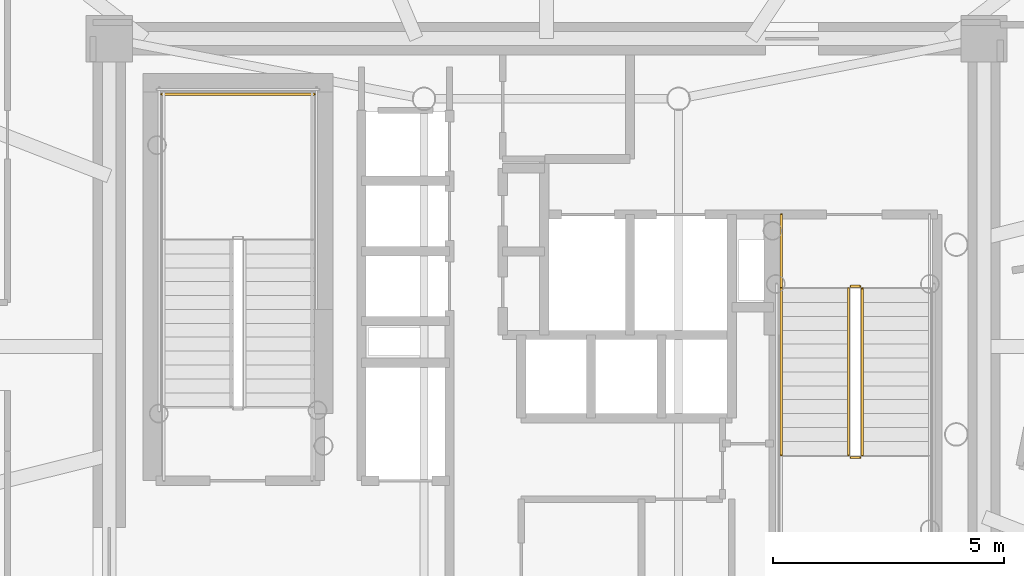
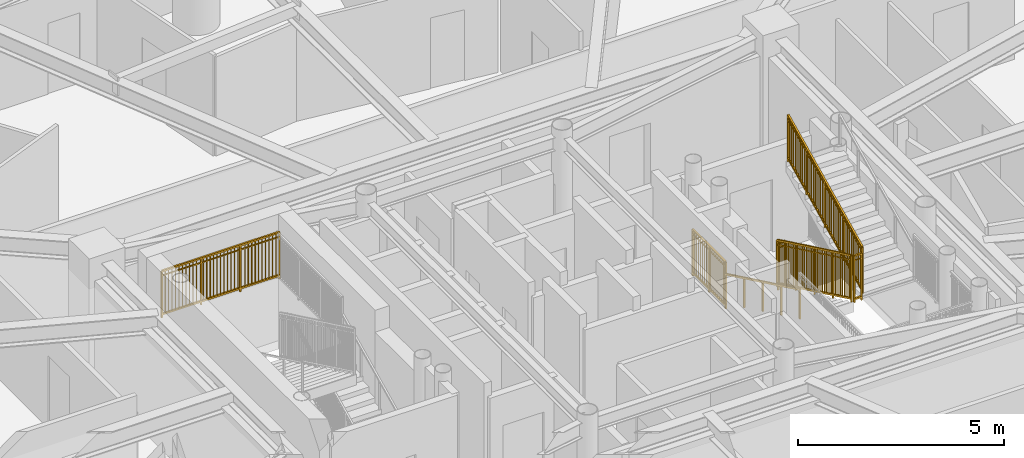
# One storey, part 19 of 21: 7 railings.
"""IFC4 building model written with IfcOpenShell, lengths in metres."""

from ifc_helpers import new_model, si_unit, direction, frame, origin, origin_2d, place, context, subcontext, project, spatial, rectangle, extrude, source, transform, mapped, material, type_object, element, save


model = new_model("IFC4")

# Units and contexts
model_context = context("Model", 3, precision=1e-05, world=origin(), true_north=direction((0.0, 1.0)))
body_context = subcontext(model_context, "Body", "Model", "MODEL_VIEW")
ifc_project = project(units=[si_unit("LENGTHUNIT", "METRE"), si_unit("AREAUNIT", "SQUARE_METRE"), si_unit("VOLUMEUNIT", "CUBIC_METRE"), si_unit("PLANEANGLEUNIT", "RADIAN"), si_unit("MASSUNIT", "GRAM", prefix="KILO")], contexts=[model_context])

# Site, building, storey
site_placement = place(None, origin())
site = spatial("IfcSite", under=ifc_project, at=site_placement, CompositionType="ELEMENT")
building_placement = place(site_placement, origin())
building = spatial("IfcBuilding", under=site, at=building_placement, Name="Linh Dai School and Residence Tower", CompositionType="ELEMENT")
storey_placement = place(building_placement, frame((0.0, 0.0, 251.550048828125)))
storey = spatial("IfcBuildingStorey", under=building, at=storey_placement, Name="L62", CompositionType="ELEMENT", Elevation=251.550048828125)

# Railings
ifc_material_1 = material(Name="Structural Steel S355JR", Category="steel")
railing_type_1 = type_object("IfcRailingType", Name="RL-ST-GUARD-1400", PredefinedType="GUARDRAIL", material=ifc_material_1)
shared_shape_1 = source(origin(), body_context, "Body", "SweptSolid", [
    extrude(rectangle(XDim=0.048095703125, YDim=0.048095703125, at=origin_2d()), frame((0.0, 0.0, 1.3759765625), z_axis=(-1.0, 0.0, 0.0), x_axis=(0.0, -1.0, 0.0)), (0.0, 0.0, 1.0), 3.300048828125),
    extrude(rectangle(XDim=0.048095703125, YDim=0.048095703125, at=origin_2d()), frame((0.0, 0.0, 0.10009765625), z_axis=(-1.0, 0.0, 0.0), x_axis=(0.0, -1.0, 0.0)), (0.0, 0.0, 1.0), 3.300048828125),
    extrude(rectangle(XDim=0.030029296875, YDim=0.030029296875, at=origin_2d()), frame((0.0, 0.0, 1.239990234375), z_axis=(-1.0, 0.0, 0.0), x_axis=(0.0, -1.0, 0.0)), (0.0, 0.0, 1.0), 3.300048828125),
    extrude(rectangle(XDim=0.02001953125, YDim=0.02001953125, at=origin_2d()), frame((-0.09716796875, 0.0, 0.10009765625)), (0.0, 0.0, 1.0), 1.251708984375),
    extrude(rectangle(XDim=0.02001953125, YDim=0.02001953125, at=origin_2d()), frame((-0.194091796875, 0.0, 0.10009765625)), (0.0, 0.0, 1.0), 1.251708984375),
    extrude(rectangle(XDim=0.02001953125, YDim=0.02001953125, at=origin_2d()), frame((-0.291259765625, 0.0, 0.10009765625)), (0.0, 0.0, 1.0), 1.251708984375),
    extrude(rectangle(XDim=0.02001953125, YDim=0.02001953125, at=origin_2d()), frame((-0.38818359375, 0.0, 0.10009765625)), (0.0, 0.0, 1.0), 1.251708984375),
    extrude(rectangle(XDim=0.02001953125, YDim=0.02001953125, at=origin_2d()), frame((-0.4853515625, 0.0, 0.10009765625)), (0.0, 0.0, 1.0), 1.251708984375),
    extrude(rectangle(XDim=0.02001953125, YDim=0.02001953125, at=origin_2d()), frame((-0.582275390625, 0.0, 0.10009765625)), (0.0, 0.0, 1.0), 1.251708984375),
    extrude(rectangle(XDim=0.02001953125, YDim=0.02001953125, at=origin_2d()), frame((-0.679443359375, 0.0, 0.10009765625)), (0.0, 0.0, 1.0), 1.251708984375),
    extrude(rectangle(XDim=0.02001953125, YDim=0.02001953125, at=origin_2d()), frame((-0.7763671875, 0.0, 0.10009765625)), (0.0, 0.0, 1.0), 1.251708984375),
    extrude(rectangle(XDim=0.02001953125, YDim=0.02001953125, at=origin_2d()), frame((-0.87353515625, 0.0, 0.10009765625)), (0.0, 0.0, 1.0), 1.251708984375),
    extrude(rectangle(XDim=0.02001953125, YDim=0.02001953125, at=origin_2d()), frame((-0.970703125, 0.0, 0.10009765625)), (0.0, 0.0, 1.0), 1.251708984375),
    extrude(rectangle(XDim=0.02001953125, YDim=0.02001953125, at=origin_2d()), frame((-1.164794921875, 0.0, 0.10009765625)), (0.0, 0.0, 1.0), 1.251708984375),
    extrude(rectangle(XDim=0.02001953125, YDim=0.02001953125, at=origin_2d()), frame((-1.26171875, 0.0, 0.10009765625)), (0.0, 0.0, 1.0), 1.251708984375),
    extrude(rectangle(XDim=0.02001953125, YDim=0.02001953125, at=origin_2d()), frame((-1.35888671875, 0.0, 0.10009765625)), (0.0, 0.0, 1.0), 1.251708984375),
    extrude(rectangle(XDim=0.02001953125, YDim=0.02001953125, at=origin_2d()), frame((-1.455810546875, 0.0, 0.10009765625)), (0.0, 0.0, 1.0), 1.251708984375),
    extrude(rectangle(XDim=0.02001953125, YDim=0.02001953125, at=origin_2d()), frame((-1.552978515625, 0.0, 0.10009765625)), (0.0, 0.0, 1.0), 1.251708984375),
    extrude(rectangle(XDim=0.02001953125, YDim=0.02001953125, at=origin_2d()), frame((-1.64990234375, 0.0, 0.10009765625)), (0.0, 0.0, 1.0), 1.251708984375),
    extrude(rectangle(XDim=0.02001953125, YDim=0.02001953125, at=origin_2d()), frame((-1.7470703125, 0.0, 0.10009765625)), (0.0, 0.0, 1.0), 1.251708984375),
    extrude(rectangle(XDim=0.02001953125, YDim=0.02001953125, at=origin_2d()), frame((-1.84423828125, 0.0, 0.10009765625)), (0.0, 0.0, 1.0), 1.251708984375),
    extrude(rectangle(XDim=0.02001953125, YDim=0.02001953125, at=origin_2d()), frame((-1.941162109375, 0.0, 0.10009765625)), (0.0, 0.0, 1.0), 1.251708984375),
    extrude(rectangle(XDim=0.02001953125, YDim=0.02001953125, at=origin_2d()), frame((-2.038330078125, 0.0, 0.10009765625)), (0.0, 0.0, 1.0), 1.251708984375),
    extrude(rectangle(XDim=0.02001953125, YDim=0.02001953125, at=origin_2d()), frame((-2.13525390625, 0.0, 0.10009765625)), (0.0, 0.0, 1.0), 1.251708984375),
    extrude(rectangle(XDim=0.02001953125, YDim=0.02001953125, at=origin_2d()), frame((-2.329345703125, 0.0, 0.10009765625)), (0.0, 0.0, 1.0), 1.251708984375),
    extrude(rectangle(XDim=0.02001953125, YDim=0.02001953125, at=origin_2d()), frame((-2.426513671875, 0.0, 0.10009765625)), (0.0, 0.0, 1.0), 1.251708984375),
    extrude(rectangle(XDim=0.02001953125, YDim=0.02001953125, at=origin_2d()), frame((-2.523681640625, 0.0, 0.10009765625)), (0.0, 0.0, 1.0), 1.251708984375),
    extrude(rectangle(XDim=0.02001953125, YDim=0.02001953125, at=origin_2d()), frame((-2.62060546875, 0.0, 0.10009765625)), (0.0, 0.0, 1.0), 1.251708984375),
    extrude(rectangle(XDim=0.02001953125, YDim=0.02001953125, at=origin_2d()), frame((-2.7177734375, 0.0, 0.10009765625)), (0.0, 0.0, 1.0), 1.251708984375),
    extrude(rectangle(XDim=0.02001953125, YDim=0.02001953125, at=origin_2d()), frame((-2.814697265625, 0.0, 0.10009765625)), (0.0, 0.0, 1.0), 1.251708984375),
    extrude(rectangle(XDim=0.02001953125, YDim=0.02001953125, at=origin_2d()), frame((-2.911865234375, 0.0, 0.10009765625)), (0.0, 0.0, 1.0), 1.251708984375),
    extrude(rectangle(XDim=0.02001953125, YDim=0.02001953125, at=origin_2d()), frame((-3.0087890625, 0.0, 0.10009765625)), (0.0, 0.0, 1.0), 1.251708984375),
    extrude(rectangle(XDim=0.02001953125, YDim=0.02001953125, at=origin_2d()), frame((-3.10595703125, 0.0, 0.10009765625)), (0.0, 0.0, 1.0), 1.251708984375),
    extrude(rectangle(XDim=0.02001953125, YDim=0.02001953125, at=origin_2d()), frame((-3.202880859375, 0.0, 0.10009765625)), (0.0, 0.0, 1.0), 1.251708984375),
    extrude(rectangle(XDim=0.0419921875, YDim=0.0419921875, at=origin_2d()), origin(), (0.0, 0.0, 1.0), 1.3759765625),
    extrude(rectangle(XDim=0.0419921875, YDim=0.0419921875, at=origin_2d()), frame((-1.10009765625, 0.0, 0.0)), (0.0, 0.0, 1.0), 1.3759765625),
    extrude(rectangle(XDim=0.0419921875, YDim=0.0419921875, at=origin_2d()), frame((-2.199951171875, 0.0, 0.0)), (0.0, 0.0, 1.0), 1.3759765625),
    extrude(rectangle(XDim=0.0419921875, YDim=0.0419921875, at=origin_2d()), frame((-3.300048828125, 0.0, 0.0)), (0.0, 0.0, 1.0), 1.3759765625),
])
railing_1_placement = place(storey_placement, frame((30.97998046875, 32.449951171875, 1.875)))
element("IfcRailing", 1, at=railing_1_placement, inside=storey, type_object=railing_type_1, Name="L62 ST1 stair guard 5", PredefinedType="GUARDRAIL", context=body_context, shape_type="MappedRepresentation", body=[
    mapped(shared_shape_1, transform((0.0, 0.0, 0.0), x_axis=(1.0, 0.0, 0.0), y_axis=(0.0, 1.0, 0.0), z_axis=(0.0, 0.0, 1.0), scale=1.0)),
])
shared_shape_2 = source(origin(), body_context, "Body", "SweptSolid", [
    extrude(rectangle(XDim=0.048095703125, YDim=0.048095703125, at=origin_2d()), frame((0.0, 0.0, 1.3759765625), z_axis=(0.0, 0.901262522062, 0.433273431364), x_axis=(-1.0, 0.0, 0.0)), (0.0, 0.0, 1.0), 3.994384765625),
    extrude(rectangle(XDim=0.048095703125, YDim=0.048095703125, at=origin_2d()), frame((0.0, 0.0, 0.10009765625), z_axis=(0.0, 0.901262522062, 0.433273431364), x_axis=(-1.0, 0.0, 0.0)), (0.0, 0.0, 1.0), 3.994384765625),
    extrude(rectangle(XDim=0.030029296875, YDim=0.030029296875, at=origin_2d()), frame((0.0, 0.0, 1.239990234375), z_axis=(0.0, 0.901262522062, 0.433273431364), x_axis=(-1.0, 0.0, 0.0)), (0.0, 0.0, 1.0), 3.994384765625),
    extrude(rectangle(XDim=0.02001953125, YDim=0.02001953125, at=origin_2d()), frame((0.0, 0.087890625, 0.142333984375)), (0.0, 0.0, 1.0), 1.251708984375),
    extrude(rectangle(XDim=0.02001953125, YDim=0.02001953125, at=origin_2d()), frame((0.0, 0.175537109375, 0.1845703125)), (0.0, 0.0, 1.0), 1.251708984375),
    extrude(rectangle(XDim=0.02001953125, YDim=0.02001953125, at=origin_2d()), frame((0.0, 0.263427734375, 0.226806640625)), (0.0, 0.0, 1.0), 1.251708984375),
    extrude(rectangle(XDim=0.02001953125, YDim=0.02001953125, at=origin_2d()), frame((0.0, 0.351318359375, 0.26904296875)), (0.0, 0.0, 1.0), 1.251708984375),
    extrude(rectangle(XDim=0.02001953125, YDim=0.02001953125, at=origin_2d()), frame((0.0, 0.43896484375, 0.311279296875)), (0.0, 0.0, 1.0), 1.251708984375),
    extrude(rectangle(XDim=0.02001953125, YDim=0.02001953125, at=origin_2d()), frame((0.0, 0.52685546875, 0.353271484375)), (0.0, 0.0, 1.0), 1.251708984375),
    extrude(rectangle(XDim=0.02001953125, YDim=0.02001953125, at=origin_2d()), frame((0.0, 0.61474609375, 0.3955078125)), (0.0, 0.0, 1.0), 1.251708984375),
    extrude(rectangle(XDim=0.02001953125, YDim=0.02001953125, at=origin_2d()), frame((0.0, 0.702392578125, 0.437744140625)), (0.0, 0.0, 1.0), 1.251708984375),
    extrude(rectangle(XDim=0.02001953125, YDim=0.02001953125, at=origin_2d()), frame((0.0, 0.790283203125, 0.47998046875)), (0.0, 0.0, 1.0), 1.251708984375),
    extrude(rectangle(XDim=0.02001953125, YDim=0.02001953125, at=origin_2d()), frame((0.0, 0.9658203125, 0.564453125)), (0.0, 0.0, 1.0), 1.251708984375),
    extrude(rectangle(XDim=0.02001953125, YDim=0.02001953125, at=origin_2d()), frame((0.0, 1.0537109375, 0.606689453125)), (0.0, 0.0, 1.0), 1.251708984375),
    extrude(rectangle(XDim=0.02001953125, YDim=0.02001953125, at=origin_2d()), frame((0.0, 1.1416015625, 0.64892578125)), (0.0, 0.0, 1.0), 1.251708984375),
    extrude(rectangle(XDim=0.02001953125, YDim=0.02001953125, at=origin_2d()), frame((0.0, 1.229248046875, 0.691162109375)), (0.0, 0.0, 1.0), 1.251708984375),
    extrude(rectangle(XDim=0.02001953125, YDim=0.02001953125, at=origin_2d()), frame((0.0, 1.317138671875, 0.7333984375)), (0.0, 0.0, 1.0), 1.251708984375),
    extrude(rectangle(XDim=0.02001953125, YDim=0.02001953125, at=origin_2d()), frame((0.0, 1.405029296875, 0.775390625)), (0.0, 0.0, 1.0), 1.251708984375),
    extrude(rectangle(XDim=0.02001953125, YDim=0.02001953125, at=origin_2d()), frame((0.0, 1.49267578125, 0.817626953125)), (0.0, 0.0, 1.0), 1.251708984375),
    extrude(rectangle(XDim=0.02001953125, YDim=0.02001953125, at=origin_2d()), frame((0.0, 1.58056640625, 0.85986328125)), (0.0, 0.0, 1.0), 1.251708984375),
    extrude(rectangle(XDim=0.02001953125, YDim=0.02001953125, at=origin_2d()), frame((0.0, 1.66845703125, 0.902099609375)), (0.0, 0.0, 1.0), 1.251708984375),
    extrude(rectangle(XDim=0.02001953125, YDim=0.02001953125, at=origin_2d()), frame((0.0, 1.756103515625, 0.9443359375)), (0.0, 0.0, 1.0), 1.251708984375),
    extrude(rectangle(XDim=0.02001953125, YDim=0.02001953125, at=origin_2d()), frame((0.0, 1.843994140625, 0.986572265625)), (0.0, 0.0, 1.0), 1.251708984375),
    extrude(rectangle(XDim=0.02001953125, YDim=0.02001953125, at=origin_2d()), frame((0.0, 1.931640625, 1.02880859375)), (0.0, 0.0, 1.0), 1.251708984375),
    extrude(rectangle(XDim=0.02001953125, YDim=0.02001953125, at=origin_2d()), frame((0.0, 2.01953125, 1.071044921875)), (0.0, 0.0, 1.0), 1.251708984375),
    extrude(rectangle(XDim=0.02001953125, YDim=0.02001953125, at=origin_2d()), frame((0.0, 2.107421875, 1.11328125)), (0.0, 0.0, 1.0), 1.251708984375),
    extrude(rectangle(XDim=0.02001953125, YDim=0.02001953125, at=origin_2d()), frame((0.0, 2.195068359375, 1.155517578125)), (0.0, 0.0, 1.0), 1.251708984375),
    extrude(rectangle(XDim=0.02001953125, YDim=0.02001953125, at=origin_2d()), frame((0.0, 2.282958984375, 1.197509765625)), (0.0, 0.0, 1.0), 1.251708984375),
    extrude(rectangle(XDim=0.02001953125, YDim=0.02001953125, at=origin_2d()), frame((0.0, 2.370849609375, 1.23974609375)), (0.0, 0.0, 1.0), 1.251708984375),
    extrude(rectangle(XDim=0.02001953125, YDim=0.02001953125, at=origin_2d()), frame((0.0, 2.45849609375, 1.281982421875)), (0.0, 0.0, 1.0), 1.251708984375),
    extrude(rectangle(XDim=0.02001953125, YDim=0.02001953125, at=origin_2d()), frame((0.0, 2.54638671875, 1.32421875)), (0.0, 0.0, 1.0), 1.251708984375),
    extrude(rectangle(XDim=0.02001953125, YDim=0.02001953125, at=origin_2d()), frame((0.0, 2.63427734375, 1.366455078125)), (0.0, 0.0, 1.0), 1.251708984375),
    extrude(rectangle(XDim=0.02001953125, YDim=0.02001953125, at=origin_2d()), frame((0.0, 2.809814453125, 1.450927734375)), (0.0, 0.0, 1.0), 1.251708984375),
    extrude(rectangle(XDim=0.02001953125, YDim=0.02001953125, at=origin_2d()), frame((0.0, 2.897705078125, 1.4931640625)), (0.0, 0.0, 1.0), 1.251708984375),
    extrude(rectangle(XDim=0.02001953125, YDim=0.02001953125, at=origin_2d()), frame((0.0, 2.9853515625, 1.535400390625)), (0.0, 0.0, 1.0), 1.251708984375),
    extrude(rectangle(XDim=0.02001953125, YDim=0.02001953125, at=origin_2d()), frame((0.0, 3.0732421875, 1.57763671875)), (0.0, 0.0, 1.0), 1.251708984375),
    extrude(rectangle(XDim=0.02001953125, YDim=0.02001953125, at=origin_2d()), frame((0.0, 3.1611328125, 1.61962890625)), (0.0, 0.0, 1.0), 1.251708984375),
    extrude(rectangle(XDim=0.02001953125, YDim=0.02001953125, at=origin_2d()), frame((0.0, 3.248779296875, 1.661865234375)), (0.0, 0.0, 1.0), 1.251708984375),
    extrude(rectangle(XDim=0.02001953125, YDim=0.02001953125, at=origin_2d()), frame((0.0, 3.336669921875, 1.7041015625)), (0.0, 0.0, 1.0), 1.251708984375),
    extrude(rectangle(XDim=0.02001953125, YDim=0.02001953125, at=origin_2d()), frame((0.0, 3.424560546875, 1.746337890625)), (0.0, 0.0, 1.0), 1.251708984375),
    extrude(rectangle(XDim=0.02001953125, YDim=0.02001953125, at=origin_2d()), frame((0.0, 3.51220703125, 1.78857421875)), (0.0, 0.0, 1.0), 1.251708984375),
    extrude(rectangle(XDim=0.0419921875, YDim=0.0419921875, at=origin_2d()), origin(), (0.0, 0.0, 1.0), 1.3759765625),
    extrude(rectangle(XDim=0.0419921875, YDim=0.0419921875, at=origin_2d()), frame((0.0, 0.89990234375, 0.4326171875)), (0.0, 0.0, 1.0), 1.3759765625),
    extrude(rectangle(XDim=0.0419921875, YDim=0.0419921875, at=origin_2d()), frame((0.0, 1.800048828125, 0.865234375)), (0.0, 0.0, 1.0), 1.3759765625),
    extrude(rectangle(XDim=0.0419921875, YDim=0.0419921875, at=origin_2d()), frame((0.0, 2.7001953125, 1.298095703125)), (0.0, 0.0, 1.0), 1.3759765625),
    extrude(rectangle(XDim=0.0419921875, YDim=0.0419921875, at=origin_2d()), frame((0.0, 3.60009765625, 1.730712890625)), (0.0, 0.0, 1.0), 1.3759765625),
])
railing_2_placement = place(storey_placement, frame((42.820068359375, 24.64990234375, 2.019287109375)))
element("IfcRailing", 2, at=railing_2_placement, inside=storey, type_object=railing_type_1, Name="L62 ST2 stair guard 6", PredefinedType="GUARDRAIL", context=body_context, shape_type="MappedRepresentation", body=[
    mapped(shared_shape_2, transform((0.0, 0.0, 0.0), x_axis=(1.0, 0.0, 0.0), y_axis=(0.0, 1.0, 0.0), z_axis=(0.0, 0.0, 1.0), scale=1.0)),
])
shared_shape_3 = source(origin(), body_context, "Body", "SweptSolid", [
    extrude(rectangle(XDim=0.048095703125, YDim=0.048095703125, at=origin_2d()), frame((0.0, 0.0, 1.3759765625), z_axis=(0.0, -0.901262522062, 0.433273431364), x_axis=(1.0, 0.0, 0.0)), (0.0, 0.0, 1.0), 3.994384765625),
    extrude(rectangle(XDim=0.048095703125, YDim=0.048095703125, at=origin_2d()), frame((0.0, 0.0, 0.10009765625), z_axis=(0.0, -0.901262522062, 0.433273431364), x_axis=(1.0, 0.0, 0.0)), (0.0, 0.0, 1.0), 3.994384765625),
    extrude(rectangle(XDim=0.030029296875, YDim=0.030029296875, at=origin_2d()), frame((0.0, 0.0, 1.239990234375), z_axis=(0.0, -0.901262522062, 0.433273431364), x_axis=(1.0, 0.0, 0.0)), (0.0, 0.0, 1.0), 3.994384765625),
    extrude(rectangle(XDim=0.02001953125, YDim=0.02001953125, at=origin_2d()), frame((0.0, -0.087890625, 0.142333984375)), (0.0, 0.0, 1.0), 1.251708984375),
    extrude(rectangle(XDim=0.02001953125, YDim=0.02001953125, at=origin_2d()), frame((0.0, -0.175537109375, 0.1845703125)), (0.0, 0.0, 1.0), 1.251708984375),
    extrude(rectangle(XDim=0.02001953125, YDim=0.02001953125, at=origin_2d()), frame((0.0, -0.263427734375, 0.226806640625)), (0.0, 0.0, 1.0), 1.251708984375),
    extrude(rectangle(XDim=0.02001953125, YDim=0.02001953125, at=origin_2d()), frame((0.0, -0.351318359375, 0.26904296875)), (0.0, 0.0, 1.0), 1.251708984375),
    extrude(rectangle(XDim=0.02001953125, YDim=0.02001953125, at=origin_2d()), frame((0.0, -0.43896484375, 0.311279296875)), (0.0, 0.0, 1.0), 1.251708984375),
    extrude(rectangle(XDim=0.02001953125, YDim=0.02001953125, at=origin_2d()), frame((0.0, -0.52685546875, 0.353271484375)), (0.0, 0.0, 1.0), 1.251708984375),
    extrude(rectangle(XDim=0.02001953125, YDim=0.02001953125, at=origin_2d()), frame((0.0, -0.61474609375, 0.3955078125)), (0.0, 0.0, 1.0), 1.251708984375),
    extrude(rectangle(XDim=0.02001953125, YDim=0.02001953125, at=origin_2d()), frame((0.0, -0.702392578125, 0.437744140625)), (0.0, 0.0, 1.0), 1.251708984375),
    extrude(rectangle(XDim=0.02001953125, YDim=0.02001953125, at=origin_2d()), frame((0.0, -0.790283203125, 0.47998046875)), (0.0, 0.0, 1.0), 1.251708984375),
    extrude(rectangle(XDim=0.02001953125, YDim=0.02001953125, at=origin_2d()), frame((0.0, -0.9658203125, 0.564453125)), (0.0, 0.0, 1.0), 1.251708984375),
    extrude(rectangle(XDim=0.02001953125, YDim=0.02001953125, at=origin_2d()), frame((0.0, -1.0537109375, 0.606689453125)), (0.0, 0.0, 1.0), 1.251708984375),
    extrude(rectangle(XDim=0.02001953125, YDim=0.02001953125, at=origin_2d()), frame((0.0, -1.1416015625, 0.64892578125)), (0.0, 0.0, 1.0), 1.251708984375),
    extrude(rectangle(XDim=0.02001953125, YDim=0.02001953125, at=origin_2d()), frame((0.0, -1.229248046875, 0.691162109375)), (0.0, 0.0, 1.0), 1.251708984375),
    extrude(rectangle(XDim=0.02001953125, YDim=0.02001953125, at=origin_2d()), frame((0.0, -1.317138671875, 0.7333984375)), (0.0, 0.0, 1.0), 1.251708984375),
    extrude(rectangle(XDim=0.02001953125, YDim=0.02001953125, at=origin_2d()), frame((0.0, -1.405029296875, 0.775390625)), (0.0, 0.0, 1.0), 1.251708984375),
    extrude(rectangle(XDim=0.02001953125, YDim=0.02001953125, at=origin_2d()), frame((0.0, -1.49267578125, 0.817626953125)), (0.0, 0.0, 1.0), 1.251708984375),
    extrude(rectangle(XDim=0.02001953125, YDim=0.02001953125, at=origin_2d()), frame((0.0, -1.58056640625, 0.85986328125)), (0.0, 0.0, 1.0), 1.251708984375),
    extrude(rectangle(XDim=0.02001953125, YDim=0.02001953125, at=origin_2d()), frame((0.0, -1.66845703125, 0.902099609375)), (0.0, 0.0, 1.0), 1.251708984375),
    extrude(rectangle(XDim=0.02001953125, YDim=0.02001953125, at=origin_2d()), frame((0.0, -1.756103515625, 0.9443359375)), (0.0, 0.0, 1.0), 1.251708984375),
    extrude(rectangle(XDim=0.02001953125, YDim=0.02001953125, at=origin_2d()), frame((0.0, -1.843994140625, 0.986572265625)), (0.0, 0.0, 1.0), 1.251708984375),
    extrude(rectangle(XDim=0.02001953125, YDim=0.02001953125, at=origin_2d()), frame((0.0, -1.931640625, 1.02880859375)), (0.0, 0.0, 1.0), 1.251708984375),
    extrude(rectangle(XDim=0.02001953125, YDim=0.02001953125, at=origin_2d()), frame((0.0, -2.01953125, 1.071044921875)), (0.0, 0.0, 1.0), 1.251708984375),
    extrude(rectangle(XDim=0.02001953125, YDim=0.02001953125, at=origin_2d()), frame((0.0, -2.107421875, 1.11328125)), (0.0, 0.0, 1.0), 1.251708984375),
    extrude(rectangle(XDim=0.02001953125, YDim=0.02001953125, at=origin_2d()), frame((0.0, -2.195068359375, 1.155517578125)), (0.0, 0.0, 1.0), 1.251708984375),
    extrude(rectangle(XDim=0.02001953125, YDim=0.02001953125, at=origin_2d()), frame((0.0, -2.282958984375, 1.197509765625)), (0.0, 0.0, 1.0), 1.251708984375),
    extrude(rectangle(XDim=0.02001953125, YDim=0.02001953125, at=origin_2d()), frame((0.0, -2.370849609375, 1.23974609375)), (0.0, 0.0, 1.0), 1.251708984375),
    extrude(rectangle(XDim=0.02001953125, YDim=0.02001953125, at=origin_2d()), frame((0.0, -2.45849609375, 1.281982421875)), (0.0, 0.0, 1.0), 1.251708984375),
    extrude(rectangle(XDim=0.02001953125, YDim=0.02001953125, at=origin_2d()), frame((0.0, -2.54638671875, 1.32421875)), (0.0, 0.0, 1.0), 1.251708984375),
    extrude(rectangle(XDim=0.02001953125, YDim=0.02001953125, at=origin_2d()), frame((0.0, -2.63427734375, 1.366455078125)), (0.0, 0.0, 1.0), 1.251708984375),
    extrude(rectangle(XDim=0.02001953125, YDim=0.02001953125, at=origin_2d()), frame((0.0, -2.809814453125, 1.450927734375)), (0.0, 0.0, 1.0), 1.251708984375),
    extrude(rectangle(XDim=0.02001953125, YDim=0.02001953125, at=origin_2d()), frame((0.0, -2.897705078125, 1.4931640625)), (0.0, 0.0, 1.0), 1.251708984375),
    extrude(rectangle(XDim=0.02001953125, YDim=0.02001953125, at=origin_2d()), frame((0.0, -2.9853515625, 1.535400390625)), (0.0, 0.0, 1.0), 1.251708984375),
    extrude(rectangle(XDim=0.02001953125, YDim=0.02001953125, at=origin_2d()), frame((0.0, -3.0732421875, 1.57763671875)), (0.0, 0.0, 1.0), 1.251708984375),
    extrude(rectangle(XDim=0.02001953125, YDim=0.02001953125, at=origin_2d()), frame((0.0, -3.1611328125, 1.61962890625)), (0.0, 0.0, 1.0), 1.251708984375),
    extrude(rectangle(XDim=0.02001953125, YDim=0.02001953125, at=origin_2d()), frame((0.0, -3.248779296875, 1.661865234375)), (0.0, 0.0, 1.0), 1.251708984375),
    extrude(rectangle(XDim=0.02001953125, YDim=0.02001953125, at=origin_2d()), frame((0.0, -3.336669921875, 1.7041015625)), (0.0, 0.0, 1.0), 1.251708984375),
    extrude(rectangle(XDim=0.02001953125, YDim=0.02001953125, at=origin_2d()), frame((0.0, -3.424560546875, 1.746337890625)), (0.0, 0.0, 1.0), 1.251708984375),
    extrude(rectangle(XDim=0.02001953125, YDim=0.02001953125, at=origin_2d()), frame((0.0, -3.51220703125, 1.78857421875)), (0.0, 0.0, 1.0), 1.251708984375),
    extrude(rectangle(XDim=0.0419921875, YDim=0.0419921875, at=origin_2d()), origin(), (0.0, 0.0, 1.0), 1.3759765625),
    extrude(rectangle(XDim=0.0419921875, YDim=0.0419921875, at=origin_2d()), frame((0.0, -0.89990234375, 0.4326171875)), (0.0, 0.0, 1.0), 1.3759765625),
    extrude(rectangle(XDim=0.0419921875, YDim=0.0419921875, at=origin_2d()), frame((0.0, -1.800048828125, 0.865234375)), (0.0, 0.0, 1.0), 1.3759765625),
    extrude(rectangle(XDim=0.0419921875, YDim=0.0419921875, at=origin_2d()), frame((0.0, -2.7001953125, 1.298095703125)), (0.0, 0.0, 1.0), 1.3759765625),
    extrude(rectangle(XDim=0.0419921875, YDim=0.0419921875, at=origin_2d()), frame((0.0, -3.60009765625, 1.730712890625)), (0.0, 0.0, 1.0), 1.3759765625),
])
railing_3_placement = place(storey_placement, frame((42.52001953125, 28.25, 0.144287109375)))
element("IfcRailing", 3, at=railing_3_placement, inside=storey, type_object=railing_type_1, Name="L62 ST2 stair guard 1", PredefinedType="GUARDRAIL", context=body_context, shape_type="MappedRepresentation", body=[
    mapped(shared_shape_3, transform((0.0, 0.0, 0.0), x_axis=(1.0, 0.0, 0.0), y_axis=(0.0, 1.0, 0.0), z_axis=(0.0, 0.0, 1.0), scale=1.0)),
])
ifc_material_2 = material(Name="Brushed Stainless Steel Handrail", Category="steel")
railing_type_2 = type_object("IfcRailingType", Name="RL-ST-HANDRAIL-900", PredefinedType="HANDRAIL", material=ifc_material_2)
shared_shape_4 = source(origin(), body_context, "Body", "SweptSolid", [
    extrude(rectangle(XDim=0.048095703125, YDim=0.048095703125, at=origin_2d()), frame((0.0, 0.0, 0.8759765625), z_axis=(0.0, -0.901262522062, 0.433273431364), x_axis=(1.0, 0.0, 0.0)), (0.0, 0.0, 1.0), 3.994384765625),
    extrude(rectangle(XDim=0.0419921875, YDim=0.0419921875, at=origin_2d()), origin(), (0.0, 0.0, 1.0), 0.8759765625),
    extrude(rectangle(XDim=0.0419921875, YDim=0.0419921875, at=origin_2d()), frame((0.0, -0.89990234375, 0.4326171875)), (0.0, 0.0, 1.0), 0.8759765625),
    extrude(rectangle(XDim=0.0419921875, YDim=0.0419921875, at=origin_2d()), frame((0.0, -1.800048828125, 0.865234375)), (0.0, 0.0, 1.0), 0.8759765625),
    extrude(rectangle(XDim=0.0419921875, YDim=0.0419921875, at=origin_2d()), frame((0.0, -2.7001953125, 1.298095703125)), (0.0, 0.0, 1.0), 0.8759765625),
    extrude(rectangle(XDim=0.0419921875, YDim=0.0419921875, at=origin_2d()), frame((0.0, -3.60009765625, 1.730712890625)), (0.0, 0.0, 1.0), 0.8759765625),
])
railing_4_placement = place(storey_placement, frame((41.070068359375, 28.25, 0.144287109375)))
element("IfcRailing", 4, at=railing_4_placement, inside=storey, type_object=railing_type_2, Name="L62 ST2 stair handrail 1", PredefinedType="HANDRAIL", context=body_context, shape_type="MappedRepresentation", body=[
    mapped(shared_shape_4, transform((0.0, 0.0, 0.0), x_axis=(1.0, 0.0, 0.0), y_axis=(0.0, 1.0, 0.0), z_axis=(0.0, 0.0, 1.0), scale=1.0)),
])
shared_shape_5 = source(origin(), body_context, "Body", "SweptSolid", [
    extrude(rectangle(XDim=0.048095703125, YDim=0.048095703125, at=origin_2d()), frame((0.0, 0.0, 1.3759765625), z_axis=(1.0, 0.0, 0.0), x_axis=(0.0, 1.0, 0.0)), (0.0, 0.0, 1.0), 0.199951171875),
    extrude(rectangle(XDim=0.048095703125, YDim=0.048095703125, at=origin_2d()), frame((0.0, 0.0, 0.10009765625), z_axis=(1.0, 0.0, 0.0), x_axis=(0.0, 1.0, 0.0)), (0.0, 0.0, 1.0), 0.199951171875),
    extrude(rectangle(XDim=0.030029296875, YDim=0.030029296875, at=origin_2d()), frame((0.0, 0.0, 1.239990234375), z_axis=(1.0, 0.0, 0.0), x_axis=(0.0, 1.0, 0.0)), (0.0, 0.0, 1.0), 0.199951171875),
    extrude(rectangle(XDim=0.0419921875, YDim=0.0419921875, at=origin_2d()), origin(), (0.0, 0.0, 1.0), 1.3759765625),
    extrude(rectangle(XDim=0.0419921875, YDim=0.0419921875, at=origin_2d()), frame((0.199951171875, 0.0, 0.0)), (0.0, 0.0, 1.0), 1.3759765625),
])
for number, where, name in (
    (5, (42.570068359375, 24.60009765625, 1.875), "L62 ST2 stair guard 2"),
    (6, (42.570068359375, 28.300048828125, 0.0), "L62 ST2 stair guard 7"),
):
    element("IfcRailing", number, at=place(storey_placement, frame(where)), inside=storey, type_object=railing_type_1, Name=name, PredefinedType="GUARDRAIL", context=body_context, shape_type="MappedRepresentation", body=[
        mapped(shared_shape_5, transform((0.0, 0.0, 0.0), x_axis=(1.0, 0.0, 0.0), y_axis=(0.0, 1.0, 0.0), z_axis=(0.0, 0.0, 1.0), scale=1.0)),
    ])
shared_shape_6 = source(origin(), body_context, "Body", "SweptSolid", [
    extrude(rectangle(XDim=0.048095703125, YDim=0.048095703125, at=origin_2d()), frame((0.0, 0.0, 1.3759765625), z_axis=(0.0, -1.0, 0.0), x_axis=(1.0, 0.0, 0.0)), (0.0, 0.0, 1.0), 1.60009765625),
    extrude(rectangle(XDim=0.048095703125, YDim=0.048095703125, at=origin_2d()), frame((0.0, 0.0, 0.10009765625), z_axis=(0.0, -1.0, 0.0), x_axis=(1.0, 0.0, 0.0)), (0.0, 0.0, 1.0), 1.60009765625),
    extrude(rectangle(XDim=0.030029296875, YDim=0.030029296875, at=origin_2d()), frame((0.0, 0.0, 1.239990234375), z_axis=(0.0, -1.0, 0.0), x_axis=(1.0, 0.0, 0.0)), (0.0, 0.0, 1.0), 1.60009765625),
    extrude(rectangle(XDim=0.02001953125, YDim=0.02001953125, at=origin_2d()), frame((0.0, -0.09423828125, 0.10009765625)), (0.0, 0.0, 1.0), 1.251708984375),
    extrude(rectangle(XDim=0.02001953125, YDim=0.02001953125, at=origin_2d()), frame((0.0, -0.188232421875, 0.10009765625)), (0.0, 0.0, 1.0), 1.251708984375),
    extrude(rectangle(XDim=0.02001953125, YDim=0.02001953125, at=origin_2d()), frame((0.0, -0.282470703125, 0.10009765625)), (0.0, 0.0, 1.0), 1.251708984375),
    extrude(rectangle(XDim=0.02001953125, YDim=0.02001953125, at=origin_2d()), frame((0.0, -0.37646484375, 0.10009765625)), (0.0, 0.0, 1.0), 1.251708984375),
    extrude(rectangle(XDim=0.02001953125, YDim=0.02001953125, at=origin_2d()), frame((0.0, -0.470703125, 0.10009765625)), (0.0, 0.0, 1.0), 1.251708984375),
    extrude(rectangle(XDim=0.02001953125, YDim=0.02001953125, at=origin_2d()), frame((0.0, -0.564697265625, 0.10009765625)), (0.0, 0.0, 1.0), 1.251708984375),
    extrude(rectangle(XDim=0.02001953125, YDim=0.02001953125, at=origin_2d()), frame((0.0, -0.658935546875, 0.10009765625)), (0.0, 0.0, 1.0), 1.251708984375),
    extrude(rectangle(XDim=0.02001953125, YDim=0.02001953125, at=origin_2d()), frame((0.0, -0.7529296875, 0.10009765625)), (0.0, 0.0, 1.0), 1.251708984375),
    extrude(rectangle(XDim=0.02001953125, YDim=0.02001953125, at=origin_2d()), frame((0.0, -0.84716796875, 0.10009765625)), (0.0, 0.0, 1.0), 1.251708984375),
    extrude(rectangle(XDim=0.02001953125, YDim=0.02001953125, at=origin_2d()), frame((0.0, -0.941162109375, 0.10009765625)), (0.0, 0.0, 1.0), 1.251708984375),
    extrude(rectangle(XDim=0.02001953125, YDim=0.02001953125, at=origin_2d()), frame((0.0, -1.035400390625, 0.10009765625)), (0.0, 0.0, 1.0), 1.251708984375),
    extrude(rectangle(XDim=0.02001953125, YDim=0.02001953125, at=origin_2d()), frame((0.0, -1.12939453125, 0.10009765625)), (0.0, 0.0, 1.0), 1.251708984375),
    extrude(rectangle(XDim=0.02001953125, YDim=0.02001953125, at=origin_2d()), frame((0.0, -1.2236328125, 0.10009765625)), (0.0, 0.0, 1.0), 1.251708984375),
    extrude(rectangle(XDim=0.02001953125, YDim=0.02001953125, at=origin_2d()), frame((0.0, -1.317626953125, 0.10009765625)), (0.0, 0.0, 1.0), 1.251708984375),
    extrude(rectangle(XDim=0.02001953125, YDim=0.02001953125, at=origin_2d()), frame((0.0, -1.411865234375, 0.10009765625)), (0.0, 0.0, 1.0), 1.251708984375),
    extrude(rectangle(XDim=0.02001953125, YDim=0.02001953125, at=origin_2d()), frame((0.0, -1.505859375, 0.10009765625)), (0.0, 0.0, 1.0), 1.251708984375),
    extrude(rectangle(XDim=0.0419921875, YDim=0.0419921875, at=origin_2d()), origin(), (0.0, 0.0, 1.0), 1.3759765625),
    extrude(rectangle(XDim=0.0419921875, YDim=0.0419921875, at=origin_2d()), frame((0.0, -0.800048828125, 0.0)), (0.0, 0.0, 1.0), 1.3759765625),
    extrude(rectangle(XDim=0.0419921875, YDim=0.0419921875, at=origin_2d()), frame((0.0, -1.60009765625, 0.0)), (0.0, 0.0, 1.0), 1.3759765625),
])
railing_5_placement = place(storey_placement, frame((41.070068359375, 29.85009765625, 0.0)))
element("IfcRailing", 7, at=railing_5_placement, inside=storey, type_object=railing_type_1, Name="L62 ST2 stair guard 8", PredefinedType="GUARDRAIL", context=body_context, shape_type="MappedRepresentation", body=[
    mapped(shared_shape_6, transform((0.0, 0.0, 0.0), x_axis=(1.0, 0.0, 0.0), y_axis=(0.0, 1.0, 0.0), z_axis=(0.0, 0.0, 1.0), scale=1.0)),
])

save(model, "model.ifc")
